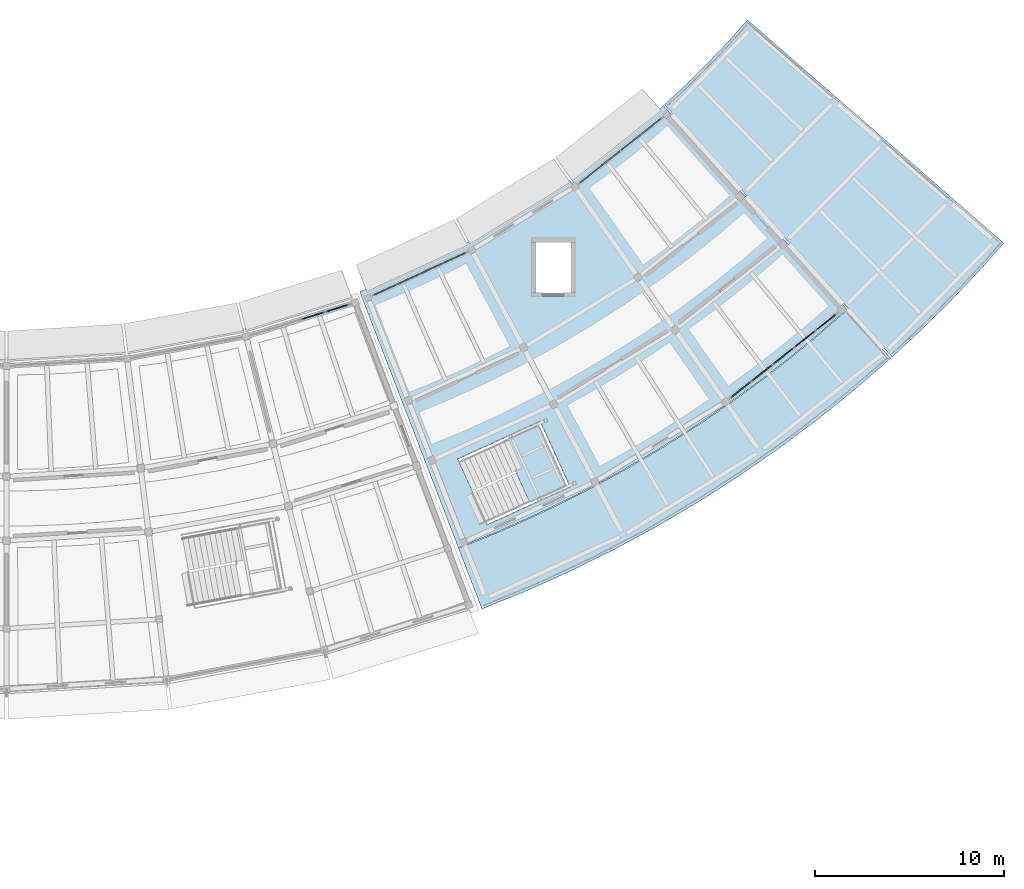
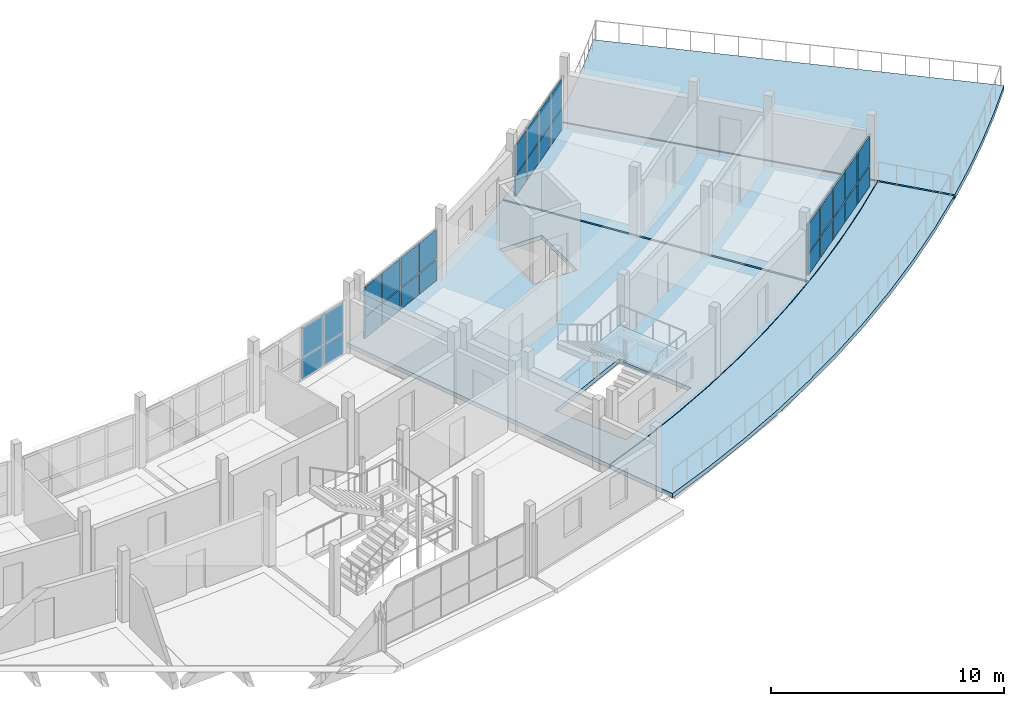
# One storey, part 22 of 36: 30 plates, 5 slabs, 5 elements without a shape of their own.
"""IFC4 building model written with IfcOpenShell, lengths in metres."""

from ifc_helpers import new_model, si_unit, direction, frame, origin, origin_2d, place, context, subcontext, project, spatial, polyline, rectangle, outline, extrude, material, layer, layer_set, type_object, element, aggregate, save


model = new_model("IFC4")

# Units and contexts
model_context = context("Model", 3, precision=1e-05, world=origin(), true_north=direction((0.0, 1.0)))
body_context = subcontext(model_context, "Body", "Model", "MODEL_VIEW")
ifc_project = project(units=[si_unit("LENGTHUNIT", "METRE"), si_unit("AREAUNIT", "SQUARE_METRE"), si_unit("VOLUMEUNIT", "CUBIC_METRE"), si_unit("PLANEANGLEUNIT", "RADIAN"), si_unit("MASSUNIT", "GRAM", prefix="KILO")], contexts=[model_context])

# Site, building, storey
site_placement = place(None, origin())
site = spatial("IfcSite", under=ifc_project, at=site_placement, CompositionType="ELEMENT")
building_placement = place(site_placement, origin())
building = spatial("IfcBuilding", under=site, at=building_placement, Name="Caldaven Crescent School", CompositionType="ELEMENT")
storey_placement = place(building_placement, frame((0.0, 0.0, 11.89990234375)))
storey = spatial("IfcBuildingStorey", under=building, at=storey_placement, Name="L03", CompositionType="ELEMENT", Elevation=11.89990234375)

# Curtain wall, plates
ifc_material_1 = material(Name="Anodised aluminium AA 6063-T6 and low-E double glazing", Category="aluminium")
ifc_layer_1 = layer(ifc_material_1, 0.22998046875)
ifc_layer_set_1 = layer_set([ifc_layer_1], Name="Anodised aluminium AA 6063-T6 and low-E double glazing")
curtain_wall_type_1 = type_object("IfcCurtainWallType", Name="CW-SYS4", PredefinedType="NOTDEFINED", material=ifc_layer_set_1)
curtain_wall_1_placement = place(storey_placement, origin())
curtain_wall_1 = element("IfcCurtainWall", 1, at=curtain_wall_1_placement, inside=storey, type_object=curtain_wall_type_1, Name="CW-L03-163", PredefinedType="NOTDEFINED")
ifc_material_2 = material(Name="Insulated bronze aluminium spandrel panel", Category="aluminium")
ifc_layer_2 = layer(ifc_material_2, 0.06396484375)
ifc_layer_set_2 = layer_set([ifc_layer_2], Name="Insulated bronze aluminium spandrel panel")
plate_type_1 = type_object("IfcPlateType", Name="PLT-CWP20", PredefinedType="CURTAIN_PANEL", material=ifc_layer_set_2)
plate_1_placement = place(storey_placement, frame((104.223388671875, 46.208984375, 0.0703125), z_axis=(0.0, 0.0, 1.0), x_axis=(0.954746818344, 0.297419758694, 0.0)))
plate_1 = element("IfcPlate", 2, at=plate_1_placement, type_object=plate_type_1, Name="CW4 panel 3.1", PredefinedType="CURTAIN_PANEL", context=body_context, shape_type="SweptSolid", body=[
    extrude(rectangle(XDim=1.290771484375, YDim=0.06396484375, at=origin_2d()), origin(), (0.0, 0.0, 1.0), 1.071044921875),
])
plate_2_placement = place(storey_placement, frame((104.223388671875, 46.208984375, 1.211181640625), z_axis=(0.0, 0.0, 1.0), x_axis=(0.954746818344, 0.297419758694, 0.0)))
plate_2 = element("IfcPlate", 3, at=plate_2_placement, type_object=plate_type_1, Name="CW4 panel 3.2", PredefinedType="CURTAIN_PANEL", context=body_context, shape_type="SweptSolid", body=[
    extrude(rectangle(XDim=1.290771484375, YDim=0.06396484375, at=origin_2d()), origin(), (0.0, 0.0, 1.0), 1.51904296875),
])
plate_3_placement = place(storey_placement, frame((105.506103515625, 46.608642578125, 0.0703125), z_axis=(0.0, 0.0, 1.0), x_axis=(0.954746818344, 0.297419758694, 0.0)))
plate_3 = element("IfcPlate", 4, at=plate_3_placement, type_object=plate_type_1, Name="CW4 panel 4.1", PredefinedType="CURTAIN_PANEL", context=body_context, shape_type="SweptSolid", body=[
    extrude(rectangle(XDim=1.255859375, YDim=0.06396484375, at=origin_2d()), origin(), (0.0, 0.0, 1.0), 1.071044921875),
])
plate_4_placement = place(storey_placement, frame((105.506103515625, 46.608642578125, 1.211181640625), z_axis=(0.0, 0.0, 1.0), x_axis=(0.954746818344, 0.297419758694, 0.0)))
plate_4 = element("IfcPlate", 5, at=plate_4_placement, type_object=plate_type_1, Name="CW4 panel 4.2", PredefinedType="CURTAIN_PANEL", context=body_context, shape_type="SweptSolid", body=[
    extrude(rectangle(XDim=1.255859375, YDim=0.06396484375, at=origin_2d()), origin(), (0.0, 0.0, 1.0), 1.51904296875),
])
aggregate(curtain_wall_1, [plate_1, plate_2, plate_3, plate_4])

ifc_layer_3 = layer(ifc_material_1, 0.169921875)
ifc_layer_set_3 = layer_set([ifc_layer_3], Name="Anodised aluminium AA 6063-T6 and low-E double glazing")
curtain_wall_type_2 = type_object("IfcCurtainWallType", Name="CW-SYS1", PredefinedType="NOTDEFINED", material=ifc_layer_set_3)
curtain_wall_2_placement = place(storey_placement, origin())
curtain_wall_2 = element("IfcCurtainWall", 6, at=curtain_wall_2_placement, inside=storey, type_object=curtain_wall_type_2, Name="CW-L03-164", PredefinedType="NOTDEFINED")
ifc_layer_4 = layer(ifc_material_2, 0.06591796875)
ifc_layer_set_4 = layer_set([ifc_layer_4], Name="Insulated bronze aluminium spandrel panel")
plate_type_2 = type_object("IfcPlateType", Name="PLT-CWP21", PredefinedType="CURTAIN_PANEL", material=ifc_layer_set_4)
plate_5_placement = place(storey_placement, frame((108.03759765625, 47.580078125, 0.06005859375), z_axis=(0.0, 0.0, 1.0), x_axis=(0.908527944654, 0.417824094306, 0.0)))
plate_5 = element("IfcPlate", 7, at=plate_5_placement, type_object=plate_type_2, Name="CW1 panel 1.1", PredefinedType="CURTAIN_PANEL", context=body_context, shape_type="SweptSolid", body=[
    extrude(rectangle(XDim=1.270751953125, YDim=0.06591796875, at=origin_2d()), origin(), (0.0, 0.0, 1.0), 1.0859375),
])
plate_6_placement = place(storey_placement, frame((108.03759765625, 47.580078125, 1.2060546875), z_axis=(0.0, 0.0, 1.0), x_axis=(0.908527944654, 0.417824094306, 0.0)))
plate_6 = element("IfcPlate", 8, at=plate_6_placement, type_object=plate_type_2, Name="CW1 panel 1.2", PredefinedType="CURTAIN_PANEL", context=body_context, shape_type="SweptSolid", body=[
    extrude(rectangle(XDim=1.270751953125, YDim=0.06591796875, at=origin_2d()), origin(), (0.0, 0.0, 1.0), 1.533935546875),
])
plate_7_placement = place(storey_placement, frame((109.26025390625, 48.142578125, 0.06005859375), z_axis=(0.0, 0.0, 1.0), x_axis=(0.908527944654, 0.417824094306, 0.0)))
plate_7 = element("IfcPlate", 9, at=plate_7_placement, type_object=plate_type_2, Name="CW1 panel 2.1", PredefinedType="CURTAIN_PANEL", context=body_context, shape_type="SweptSolid", body=[
    extrude(rectangle(XDim=1.30078125, YDim=0.06591796875, at=origin_2d()), origin(), (0.0, 0.0, 1.0), 1.0859375),
])
plate_8_placement = place(storey_placement, frame((109.26025390625, 48.142578125, 1.2060546875), z_axis=(0.0, 0.0, 1.0), x_axis=(0.908527944654, 0.417824094306, 0.0)))
plate_8 = element("IfcPlate", 10, at=plate_8_placement, type_object=plate_type_2, Name="CW1 panel 2.2", PredefinedType="CURTAIN_PANEL", context=body_context, shape_type="SweptSolid", body=[
    extrude(rectangle(XDim=1.30078125, YDim=0.06591796875, at=origin_2d()), origin(), (0.0, 0.0, 1.0), 1.533935546875),
])
plate_9_placement = place(storey_placement, frame((110.49658203125, 48.711181640625, 0.06005859375), z_axis=(0.0, 0.0, 1.0), x_axis=(0.908527944654, 0.417824094306, 0.0)))
plate_9 = element("IfcPlate", 11, at=plate_9_placement, type_object=plate_type_2, Name="CW1 panel 3.1", PredefinedType="CURTAIN_PANEL", context=body_context, shape_type="SweptSolid", body=[
    extrude(rectangle(XDim=1.30078125, YDim=0.06591796875, at=origin_2d()), origin(), (0.0, 0.0, 1.0), 1.0859375),
])
plate_10_placement = place(storey_placement, frame((110.49658203125, 48.711181640625, 1.2060546875), z_axis=(0.0, 0.0, 1.0), x_axis=(0.908527944654, 0.417824094306, 0.0)))
plate_10 = element("IfcPlate", 12, at=plate_10_placement, type_object=plate_type_2, Name="CW1 panel 3.2", PredefinedType="CURTAIN_PANEL", context=body_context, shape_type="SweptSolid", body=[
    extrude(rectangle(XDim=1.30078125, YDim=0.06591796875, at=origin_2d()), origin(), (0.0, 0.0, 1.0), 1.533935546875),
])
plate_11_placement = place(storey_placement, frame((111.719482421875, 49.2734375, 0.06005859375), z_axis=(0.0, 0.0, 1.0), x_axis=(0.908527944654, 0.417824094306, 0.0)))
plate_11 = element("IfcPlate", 13, at=plate_11_placement, type_object=plate_type_2, Name="CW1 panel 4.1", PredefinedType="CURTAIN_PANEL", context=body_context, shape_type="SweptSolid", body=[
    extrude(rectangle(XDim=1.270751953125, YDim=0.06591796875, at=origin_2d()), origin(), (0.0, 0.0, 1.0), 1.0859375),
])
plate_12_placement = place(storey_placement, frame((111.719482421875, 49.2734375, 1.2060546875), z_axis=(0.0, 0.0, 1.0), x_axis=(0.908527944654, 0.417824094306, 0.0)))
plate_12 = element("IfcPlate", 14, at=plate_12_placement, type_object=plate_type_2, Name="CW1 panel 4.2", PredefinedType="CURTAIN_PANEL", context=body_context, shape_type="SweptSolid", body=[
    extrude(rectangle(XDim=1.270751953125, YDim=0.06591796875, at=origin_2d()), origin(), (0.0, 0.0, 1.0), 1.533935546875),
])
aggregate(curtain_wall_2, [plate_5, plate_6, plate_7, plate_8, plate_9, plate_10, plate_11, plate_12])

ifc_layer_5 = layer(ifc_material_1, 0.2099609375)
ifc_layer_set_5 = layer_set([ifc_layer_5], Name="Anodised aluminium AA 6063-T6 and low-E double glazing")
curtain_wall_type_3 = type_object("IfcCurtainWallType", Name="CW-SYS3", PredefinedType="NOTDEFINED", material=ifc_layer_set_5)
curtain_wall_3_placement = place(storey_placement, origin())
curtain_wall_3 = element("IfcCurtainWall", 15, at=curtain_wall_3_placement, inside=storey, type_object=curtain_wall_type_3, Name="CW-L03-165", PredefinedType="NOTDEFINED")
ifc_layer_6 = layer(ifc_material_2, 0.068115234375)
ifc_layer_set_6 = layer_set([ifc_layer_6], Name="Insulated bronze aluminium spandrel panel")
plate_type_3 = type_object("IfcPlateType", Name="PLT-CWP22", PredefinedType="CURTAIN_PANEL", material=ifc_layer_set_6)
plate_13_placement = place(storey_placement, frame((118.880615234375, 53.66650390625, 0.06494140625), z_axis=(0.0, 0.0, 1.0), x_axis=(0.783882109145, 0.620909686639, 0.0)))
plate_13 = element("IfcPlate", 16, at=plate_13_placement, type_object=plate_type_3, Name="CW3 panel 1.1", PredefinedType="CURTAIN_PANEL", context=body_context, shape_type="SweptSolid", body=[
    extrude(rectangle(XDim=1.292236328125, YDim=0.068115234375, at=origin_2d()), origin(), (0.0, 0.0, 1.0), 1.07861328125),
])
plate_14_placement = place(storey_placement, frame((118.880615234375, 53.66650390625, 1.20849609375), z_axis=(0.0, 0.0, 1.0), x_axis=(0.783882109145, 0.620909686639, 0.0)))
plate_14 = element("IfcPlate", 17, at=plate_14_placement, type_object=plate_type_3, Name="CW3 panel 1.2", PredefinedType="CURTAIN_PANEL", context=body_context, shape_type="SweptSolid", body=[
    extrude(rectangle(XDim=1.292236328125, YDim=0.068115234375, at=origin_2d()), origin(), (0.0, 0.0, 1.0), 1.526611328125),
])
plate_15_placement = place(storey_placement, frame((119.96240234375, 54.523193359375, 0.06494140625), z_axis=(0.0, 0.0, 1.0), x_axis=(0.783882109145, 0.620909686639, 0.0)))
plate_15 = element("IfcPlate", 18, at=plate_15_placement, type_object=plate_type_3, Name="CW3 panel 2.1", PredefinedType="CURTAIN_PANEL", context=body_context, shape_type="SweptSolid", body=[
    extrude(rectangle(XDim=1.327392578125, YDim=0.068115234375, at=origin_2d()), origin(), (0.0, 0.0, 1.0), 1.07861328125),
])
plate_16_placement = place(storey_placement, frame((119.96240234375, 54.523193359375, 1.20849609375), z_axis=(0.0, 0.0, 1.0), x_axis=(0.783882109145, 0.620909686639, 0.0)))
plate_16 = element("IfcPlate", 19, at=plate_16_placement, type_object=plate_type_3, Name="CW3 panel 2.2", PredefinedType="CURTAIN_PANEL", context=body_context, shape_type="SweptSolid", body=[
    extrude(rectangle(XDim=1.327392578125, YDim=0.068115234375, at=origin_2d()), origin(), (0.0, 0.0, 1.0), 1.526611328125),
])
plate_17_placement = place(storey_placement, frame((121.0576171875, 55.390869140625, 0.06494140625), z_axis=(0.0, 0.0, 1.0), x_axis=(0.783882109145, 0.620909686639, 0.0)))
plate_17 = element("IfcPlate", 20, at=plate_17_placement, type_object=plate_type_3, Name="CW3 panel 3.1", PredefinedType="CURTAIN_PANEL", context=body_context, shape_type="SweptSolid", body=[
    extrude(rectangle(XDim=1.327392578125, YDim=0.068115234375, at=origin_2d()), origin(), (0.0, 0.0, 1.0), 1.07861328125),
])
plate_18_placement = place(storey_placement, frame((121.0576171875, 55.390869140625, 1.20849609375), z_axis=(0.0, 0.0, 1.0), x_axis=(0.783882109145, 0.620909686639, 0.0)))
plate_18 = element("IfcPlate", 21, at=plate_18_placement, type_object=plate_type_3, Name="CW3 panel 3.2", PredefinedType="CURTAIN_PANEL", context=body_context, shape_type="SweptSolid", body=[
    extrude(rectangle(XDim=1.327392578125, YDim=0.068115234375, at=origin_2d()), origin(), (0.0, 0.0, 1.0), 1.526611328125),
])
plate_19_placement = place(storey_placement, frame((122.139404296875, 56.24755859375, 0.06494140625), z_axis=(0.0, 0.0, 1.0), x_axis=(0.783882109145, 0.620909686639, 0.0)))
plate_19 = element("IfcPlate", 22, at=plate_19_placement, type_object=plate_type_3, Name="CW3 panel 4.1", PredefinedType="CURTAIN_PANEL", context=body_context, shape_type="SweptSolid", body=[
    extrude(rectangle(XDim=1.292236328125, YDim=0.068115234375, at=origin_2d()), origin(), (0.0, 0.0, 1.0), 1.07861328125),
])
plate_20_placement = place(storey_placement, frame((122.139404296875, 56.24755859375, 1.20849609375), z_axis=(0.0, 0.0, 1.0), x_axis=(0.783882109145, 0.620909686639, 0.0)))
plate_20 = element("IfcPlate", 23, at=plate_20_placement, type_object=plate_type_3, Name="CW3 panel 4.2", PredefinedType="CURTAIN_PANEL", context=body_context, shape_type="SweptSolid", body=[
    extrude(rectangle(XDim=1.292236328125, YDim=0.068115234375, at=origin_2d()), origin(), (0.0, 0.0, 1.0), 1.526611328125),
])
aggregate(curtain_wall_3, [plate_13, plate_14, plate_15, plate_16, plate_17, plate_18, plate_19, plate_20])

curtain_wall_4_placement = place(storey_placement, origin())
curtain_wall_4 = element("IfcCurtainWall", 24, at=curtain_wall_4_placement, inside=storey, type_object=curtain_wall_type_2, Name="CW-L03-166", PredefinedType="NOTDEFINED")
ifc_layer_7 = layer(ifc_material_2, 0.070068359375)
ifc_layer_set_7 = layer_set([ifc_layer_7], Name="Insulated bronze aluminium spandrel panel")
plate_type_4 = type_object("IfcPlateType", Name="PLT-CWP23", PredefinedType="CURTAIN_PANEL", material=ifc_layer_set_7)
plate_21_placement = place(storey_placement, frame((126.871337890625, 42.29443359375, 0.0703125), z_axis=(0.0, 0.0, 1.0), x_axis=(0.783881887963, 0.620909965875, 0.0)))
plate_21 = element("IfcPlate", 25, at=plate_21_placement, type_object=plate_type_4, Name="CW1 panel 1.1", PredefinedType="CURTAIN_PANEL", context=body_context, shape_type="SweptSolid", body=[
    extrude(rectangle(XDim=1.348388671875, YDim=0.070068359375, at=origin_2d()), origin(), (0.0, 0.0, 1.0), 1.071044921875),
])
plate_22_placement = place(storey_placement, frame((126.871337890625, 42.29443359375, 1.211181640625), z_axis=(0.0, 0.0, 1.0), x_axis=(0.783881887963, 0.620909965875, 0.0)))
plate_22 = element("IfcPlate", 26, at=plate_22_placement, type_object=plate_type_4, Name="CW1 panel 1.2", PredefinedType="CURTAIN_PANEL", context=body_context, shape_type="SweptSolid", body=[
    extrude(rectangle(XDim=1.348388671875, YDim=0.070068359375, at=origin_2d()), origin(), (0.0, 0.0, 1.0), 1.51904296875),
])
plate_23_placement = place(storey_placement, frame((127.9921875, 43.18212890625, 0.0703125), z_axis=(0.0, 0.0, 1.0), x_axis=(0.783881887963, 0.620909965875, 0.0)))
plate_23 = element("IfcPlate", 27, at=plate_23_placement, type_object=plate_type_4, Name="CW1 panel 2.1", PredefinedType="CURTAIN_PANEL", context=body_context, shape_type="SweptSolid", body=[
    extrude(rectangle(XDim=1.380859375, YDim=0.070068359375, at=origin_2d()), origin(), (0.0, 0.0, 1.0), 1.071044921875),
])
plate_24_placement = place(storey_placement, frame((127.9921875, 43.18212890625, 1.211181640625), z_axis=(0.0, 0.0, 1.0), x_axis=(0.783881887963, 0.620909965875, 0.0)))
plate_24 = element("IfcPlate", 28, at=plate_24_placement, type_object=plate_type_4, Name="CW1 panel 2.2", PredefinedType="CURTAIN_PANEL", context=body_context, shape_type="SweptSolid", body=[
    extrude(rectangle(XDim=1.380859375, YDim=0.070068359375, at=origin_2d()), origin(), (0.0, 0.0, 1.0), 1.51904296875),
])
plate_25_placement = place(storey_placement, frame((129.12548828125, 44.080078125, 0.0703125), z_axis=(0.0, 0.0, 1.0), x_axis=(0.783881887963, 0.620909965875, 0.0)))
plate_25 = element("IfcPlate", 29, at=plate_25_placement, type_object=plate_type_4, Name="CW1 panel 3.1", PredefinedType="CURTAIN_PANEL", context=body_context, shape_type="SweptSolid", body=[
    extrude(rectangle(XDim=1.380859375, YDim=0.070068359375, at=origin_2d()), origin(), (0.0, 0.0, 1.0), 1.071044921875),
])
plate_26_placement = place(storey_placement, frame((129.12548828125, 44.080078125, 1.211181640625), z_axis=(0.0, 0.0, 1.0), x_axis=(0.783881887963, 0.620909965875, 0.0)))
plate_26 = element("IfcPlate", 30, at=plate_26_placement, type_object=plate_type_4, Name="CW1 panel 3.2", PredefinedType="CURTAIN_PANEL", context=body_context, shape_type="SweptSolid", body=[
    extrude(rectangle(XDim=1.380859375, YDim=0.070068359375, at=origin_2d()), origin(), (0.0, 0.0, 1.0), 1.51904296875),
])
plate_27_placement = place(storey_placement, frame((130.259033203125, 44.977783203125, 0.0703125), z_axis=(0.0, 0.0, 1.0), x_axis=(0.783881887963, 0.620909965875, 0.0)))
plate_27 = element("IfcPlate", 31, at=plate_27_placement, type_object=plate_type_4, Name="CW1 panel 4.1", PredefinedType="CURTAIN_PANEL", context=body_context, shape_type="SweptSolid", body=[
    extrude(rectangle(XDim=1.380859375, YDim=0.070068359375, at=origin_2d()), origin(), (0.0, 0.0, 1.0), 1.071044921875),
])
plate_28_placement = place(storey_placement, frame((130.259033203125, 44.977783203125, 1.211181640625), z_axis=(0.0, 0.0, 1.0), x_axis=(0.783881887963, 0.620909965875, 0.0)))
plate_28 = element("IfcPlate", 32, at=plate_28_placement, type_object=plate_type_4, Name="CW1 panel 4.2", PredefinedType="CURTAIN_PANEL", context=body_context, shape_type="SweptSolid", body=[
    extrude(rectangle(XDim=1.380859375, YDim=0.070068359375, at=origin_2d()), origin(), (0.0, 0.0, 1.0), 1.51904296875),
])
plate_29_placement = place(storey_placement, frame((131.379638671875, 45.865478515625, 0.0703125), z_axis=(0.0, 0.0, 1.0), x_axis=(0.783881887963, 0.620909965875, 0.0)))
plate_29 = element("IfcPlate", 33, at=plate_29_placement, type_object=plate_type_4, Name="CW1 panel 5.1", PredefinedType="CURTAIN_PANEL", context=body_context, shape_type="SweptSolid", body=[
    extrude(rectangle(XDim=1.348388671875, YDim=0.070068359375, at=origin_2d()), origin(), (0.0, 0.0, 1.0), 1.071044921875),
])
plate_30_placement = place(storey_placement, frame((131.379638671875, 45.865478515625, 1.211181640625), z_axis=(0.0, 0.0, 1.0), x_axis=(0.783881887963, 0.620909965875, 0.0)))
plate_30 = element("IfcPlate", 34, at=plate_30_placement, type_object=plate_type_4, Name="CW1 panel 5.2", PredefinedType="CURTAIN_PANEL", context=body_context, shape_type="SweptSolid", body=[
    extrude(rectangle(XDim=1.348388671875, YDim=0.070068359375, at=origin_2d()), origin(), (0.0, 0.0, 1.0), 1.51904296875),
])
aggregate(curtain_wall_4, [plate_21, plate_22, plate_23, plate_24, plate_25, plate_26, plate_27, plate_28, plate_29, plate_30])

# Slabs
ifc_material_3 = material(Name="Cross-laminated timber CLT C24", Category="wood")
ifc_layer_8 = layer(ifc_material_3, 0.219970703125)
ifc_layer_set_8 = layer_set([ifc_layer_8], Name="Cross-laminated timber CLT C24")
slab_type_1 = type_object("IfcSlabType", Name="SLB-FS2", PredefinedType="FLOOR", material=ifc_layer_set_8)
slab_1_placement = place(storey_placement, frame((0.0, 0.0, -0.219970703125)))
element("IfcSlab", 35, at=slab_1_placement, inside=storey, type_object=slab_type_1, Name="SLB-V4E-L03-B11", PredefinedType="FLOOR", context=body_context, shape_type="SweptSolid", body=[
    extrude(outline(polyline([(111.9150390625, 33.927490234375), (114.052978515625, 34.794189453125), (116.159912109375, 35.734375), (118.232666015625, 36.747314453125), (120.269287109375, 37.831298828125), (122.26708984375, 38.9853515625), (124.223388671875, 40.207763671875), (126.136474609375, 41.49755859375), (117.81201171875, 53.394287109375), (116.316650390625, 52.38623046875), (114.787109375, 51.430419921875), (113.2255859375, 50.5283203125), (111.633544921875, 49.680908203125), (110.01318359375, 48.88916015625), (108.3662109375, 48.154296875), (106.69482421875, 47.476806640625), (111.9150390625, 33.927490234375)]), holes=[polyline([(115.896484375, 47.263671875), (115.896484375, 50.263671875), (117.996337890625, 50.263671875), (117.996337890625, 47.263671875), (115.896484375, 47.263671875)]), polyline([(113.465087890625, 35.173583984375), (111.897705078125, 38.61328125), (116.2490234375, 40.59619140625), (117.816650390625, 37.156494140625), (113.465087890625, 35.173583984375)])]), origin(), (0.0, 0.0, 1.0), 0.219970703125),
])
slab_2_placement = place(storey_placement, frame((0.0, 0.0, -0.219970703125)))
element("IfcSlab", 36, at=slab_2_placement, inside=storey, type_object=slab_type_1, Name="SLB-V4E-L03-B13", PredefinedType="FLOOR", context=body_context, shape_type="SweptSolid", body=[
    extrude(outline(polyline([(126.22119140625, 41.556884765625), (127.84521484375, 42.734130859375), (129.43310546875, 43.95947265625), (130.9833984375, 45.232421875), (132.494384765625, 46.551513671875), (122.7822265625, 57.344970703125), (121.600830078125, 56.31396484375), (120.38916015625, 55.319091796875), (119.14794921875, 54.36083984375), (117.87841796875, 53.44091796875), (126.22119140625, 41.556884765625)])), origin(), (0.0, 0.0, 1.0), 0.219970703125),
])

# Stair, slab
ifc_material_4 = material(Name="Precast concrete C30/37", Category="concrete")
stair_type = type_object("IfcStairType", Name="STR-S5", PredefinedType="TWO_STRAIGHT_RUN_STAIR", material=ifc_material_4)
stair_placement = place(storey_placement, origin())
stair = element("IfcStair", 37, at=stair_placement, inside=storey, type_object=stair_type, Name="STAIR-ST4-L03", PredefinedType="TWO_STRAIGHT_RUN_STAIR")
ifc_material_5 = material(Name="Concrete C30/37", Category="concrete")
ifc_layer_9 = layer(ifc_material_5, 0.195068359375)
ifc_layer_set_9 = layer_set([ifc_layer_9], Name="Concrete C30/37")
slab_type_2 = type_object("IfcSlabType", Name="SLB-LND2", PredefinedType="LANDING", material=ifc_layer_set_9)
slab_3_placement = place(storey_placement, frame((0.0, 0.0, 1.675048828125)))
slab_3 = element("IfcSlab", 38, at=slab_3_placement, type_object=slab_type_2, Name="ST4-L03 landing 1", PredefinedType="LANDING", context=body_context, shape_type="SweptSolid", body=[
    extrude(outline(polyline([(115.697998046875, 36.31201171875), (117.661865234375, 37.206787109375), (116.185546875, 40.4462890625), (114.221923828125, 39.551513671875), (115.697998046875, 36.31201171875)])), origin(), (0.0, 0.0, 1.0), 0.195068359375),
])
aggregate(stair, [slab_3])

# Slabs
ifc_layer_10 = layer(ifc_material_3, 0.25)
ifc_layer_set_10 = layer_set([ifc_layer_10], Name="Cross-laminated timber CLT C24")
slab_type_3 = type_object("IfcSlabType", Name="SLB-TS1", PredefinedType="FLOOR", material=ifc_layer_set_10)
slab_4_placement = place(storey_placement, frame((0.0, 0.0, -0.25)))
element("IfcSlab", 39, at=slab_4_placement, inside=storey, type_object=slab_type_3, Name="SLB-PD-L03-E", PredefinedType="FLOOR", context=body_context, shape_type="SweptSolid", body=[
    extrude(outline(polyline([(134.8818359375, 44.018310546875), (136.4306640625, 45.458251953125), (137.935546875, 46.944580078125), (139.394775390625, 48.4755859375), (140.80712890625, 50.0498046875), (127.22802734375, 61.86572265625), (126.178955078125, 60.696044921875), (125.094970703125, 59.558837890625), (123.97705078125, 58.454833984375), (122.826416015625, 57.385009765625), (134.8818359375, 44.018310546875)])), origin(), (0.0, 0.0, 1.0), 0.25),
])
ifc_layer_11 = layer(ifc_material_3, 0.22998046875)
ifc_layer_set_11 = layer_set([ifc_layer_11], Name="Cross-laminated timber CLT C24")
slab_type_4 = type_object("IfcSlabType", Name="SLB-TS2", PredefinedType="FLOOR", material=ifc_layer_set_11)
slab_5_placement = place(storey_placement, frame((0.0, 0.0, -0.22998046875)))
element("IfcSlab", 40, at=slab_5_placement, inside=storey, type_object=slab_type_4, Name="SLB-BT-L03-E", PredefinedType="FLOOR", context=body_context, shape_type="SweptSolid", body=[
    extrude(outline(polyline([(113.166015625, 30.68017578125), (115.53173828125, 31.6416015625), (117.860595703125, 32.6884765625), (120.14990234375, 33.81982421875), (122.396240234375, 35.03369140625), (124.596923828125, 36.32861328125), (126.748779296875, 37.703125), (128.849365234375, 39.1552734375), (130.895263671875, 40.682861328125), (132.88427734375, 42.2841796875), (134.8134765625, 43.956787109375), (132.50634765625, 46.521728515625), (130.672119140625, 44.931396484375), (128.78125, 43.4091796875), (126.8359375, 41.956787109375), (124.839111328125, 40.576416015625), (122.793212890625, 39.26953125), (120.700927734375, 38.038330078125), (118.565185546875, 36.88427734375), (116.388916015625, 35.808837890625), (114.1748046875, 34.8134765625), (111.92578125, 33.899658203125), (113.166015625, 30.68017578125)])), origin(), (0.0, 0.0, 1.0), 0.22998046875),
])

save(model, "model.ifc")
